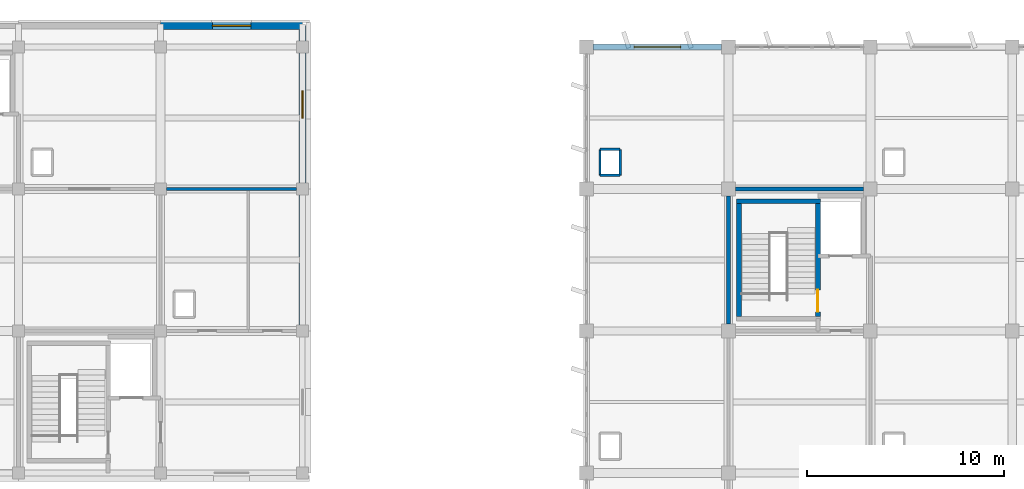
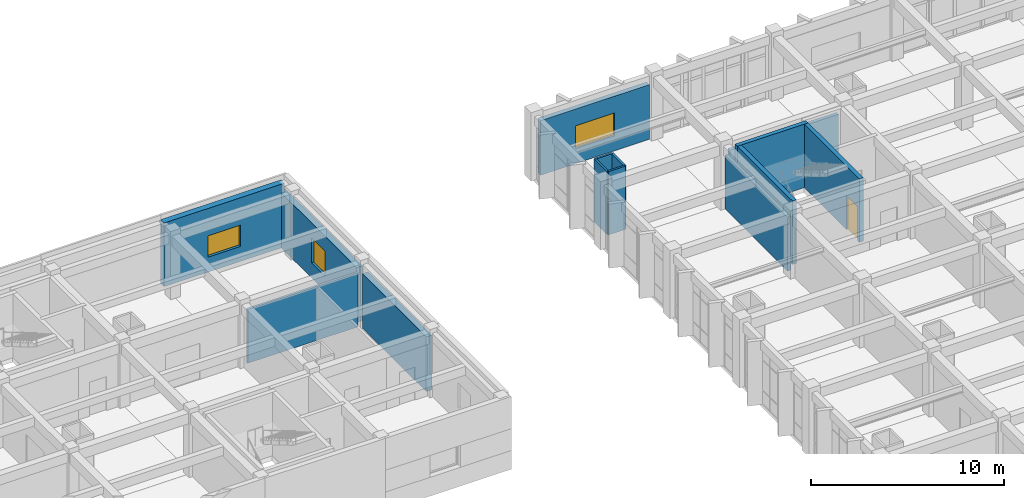
# One storey, part 59 of 70: 14 walls, 3 windows, 1 door, 4 openings.
"""IFC4 building model written with IfcOpenShell, lengths in metres."""

from ifc_helpers import new_model, si_unit, direction, frame, frame_2d, origin, place, context, subcontext, project, spatial, rectangle, extrude, material, layer, layer_set, type_object, element, fill, save


model = new_model("IFC4")

# Units and contexts
model_context = context("Model", 3, precision=1e-05, world=origin(), true_north=direction((0.0, 1.0)))
body_context = subcontext(model_context, "Body", "Model", "MODEL_VIEW")
ifc_project = project(units=[si_unit("LENGTHUNIT", "METRE"), si_unit("AREAUNIT", "SQUARE_METRE"), si_unit("VOLUMEUNIT", "CUBIC_METRE"), si_unit("PLANEANGLEUNIT", "RADIAN"), si_unit("MASSUNIT", "GRAM", prefix="KILO")], contexts=[model_context])

# Site, building, storey
site_placement = place(None, origin())
site = spatial("IfcSite", under=ifc_project, at=site_placement, CompositionType="ELEMENT")
building_placement = place(site_placement, origin())
building = spatial("IfcBuilding", under=site, at=building_placement, Name="Kavelor Marine Aquarium", CompositionType="ELEMENT")
storey_placement = place(building_placement, frame((0.0, 0.0, 9.179931640625)))
storey = spatial("IfcBuildingStorey", under=building, at=storey_placement, Name="L02", CompositionType="ELEMENT", Elevation=9.179931640625)

# Wall, opening, window
ifc_material_1 = material(Name="Concrete C45/55", Category="concrete")
ifc_layer_1 = layer(ifc_material_1, 0.360107421875)
ifc_layer_set_1 = layer_set([ifc_layer_1], Name="WL-EX1")
wall_type_1 = type_object("IfcWallType", Name="WL-EX1", PredefinedType="STANDARD", material=ifc_layer_set_1)
wall_1_placement = place(storey_placement, frame((96.800048828125, 111.8798828125, 0.0), z_axis=(0.0, 0.0, 1.0), x_axis=(1.0, 0.0, 0.0)))
wall_1 = element("IfcWall", 1, at=wall_1_placement, inside=storey, type_object=wall_type_1, Name="ew:x:L02:13_15", PredefinedType="STANDARD", context=body_context, shape_type="SweptSolid", body=[
    extrude(rectangle(XDim=7.199951171875, YDim=0.360107421875, at=frame_2d((3.60009765625, 0.0))), origin(), (0.0, 0.0, 1.0), 4.030029296875),
])
opening_1_placement = place(wall_1_placement, frame((2.625, 0.0, 0.949951171875)))
opening_1 = element("IfcOpeningElement", 2, at=opening_1_placement, cuts=wall_1, Name="Opening W29", PredefinedType="OPENING", context=body_context, shape_type="SweptSolid", body=[
    extrude(rectangle(XDim=1.949951171875, YDim=1.35009765625, at=frame_2d((0.97509765625, 0.675048828125))), frame((0.0, 0.18994140625, 0.0), z_axis=(0.0, -1.0, 0.0), x_axis=(1.0, 0.0, 0.0)), (0.0, 0.0, 1.0), 0.380107),
])
ifc_material_2 = material(Name="Anodised Aluminium Frame with Low-E Double Glazing", Category="aluminium")
window_type_1 = type_object("IfcWindowType", Name="WIN-W29", PartitioningType="DOUBLE_PANEL_VERTICAL", PredefinedType="WINDOW", material=ifc_material_2)
window_1_placement = place(opening_1_placement, origin())
window_1 = element("IfcWindow", 3, at=window_1_placement, inside=storey, type_object=window_type_1, Name="win:x:L02:13_15", OverallHeight=1.35009765625, OverallWidth=1.949951171875, PartitioningType="SINGLE_PANEL", PredefinedType="WINDOW", context=body_context, shape_type="SweptSolid", body=[
    extrude(rectangle(XDim=1.949951171875, YDim=1.35009765625, at=frame_2d((0.97509765625, 0.675048828125))), frame((0.0, 0.030029296875, 0.0), z_axis=(0.0, -1.0, 0.0), x_axis=(1.0, 0.0, 0.0)), (0.0, 0.0, 1.0), 0.06005859375),
])
fill(opening_1, window_1)

wall_2_placement = place(storey_placement, frame((104.0, 111.8798828125, 0.0), z_axis=(0.0, 0.0, 1.0), x_axis=(0.0, -1.0, 0.0)))
wall_2 = element("IfcWall", 4, at=wall_2_placement, inside=storey, type_object=wall_type_1, Name="ew:y:L02:14_14", PredefinedType="STANDARD", context=body_context, shape_type="SweptSolid", body=[
    extrude(rectangle(XDim=7.98486328125, YDim=0.360107421875, at=frame_2d((3.992431640625, 0.0))), origin(), (0.0, 0.0, 1.0), 3.47998046875),
])
opening_2_placement = place(wall_2_placement, frame((3.29248046875, 0.0, 0.949951171875)))
opening_2 = element("IfcOpeningElement", 5, at=opening_2_placement, cuts=wall_2, Name="Opening W04", PredefinedType="OPENING", context=body_context, shape_type="SweptSolid", body=[
    extrude(rectangle(XDim=1.39990234375, YDim=1.60009765625, at=frame_2d((0.699951171875, 0.800048828125))), frame((0.0, 0.18994140625, 0.0), z_axis=(0.0, -1.0, 0.0), x_axis=(1.0, 0.0, 0.0)), (0.0, 0.0, 1.0), 0.380107),
])
ifc_material_3 = material(Name="Anodised Aluminium Frame with Low-E Double Glazing", Category="aluminium")
window_type_2 = type_object("IfcWindowType", Name="WIN-W04", PartitioningType="SINGLE_PANEL", PredefinedType="WINDOW", material=ifc_material_3)
window_2_placement = place(opening_2_placement, origin())
window_2 = element("IfcWindow", 6, at=window_2_placement, inside=storey, type_object=window_type_2, Name="win:y:L02:14_14", OverallHeight=1.60009765625, OverallWidth=1.39990234375, PartitioningType="SINGLE_PANEL", PredefinedType="WINDOW", context=body_context, shape_type="SweptSolid", body=[
    extrude(rectangle(XDim=1.39990234375, YDim=1.60009765625, at=frame_2d((0.699951171875, 0.800048828125))), frame((0.0, 0.030029296875, 0.0), z_axis=(0.0, -1.0, 0.0), x_axis=(1.0, 0.0, 0.0)), (0.0, 0.0, 1.0), 0.06005859375),
])
fill(opening_2, window_2)

ifc_material_4 = material(Name="Concrete C40/50", Category="concrete")
ifc_layer_2 = layer(ifc_material_4, 0.280029296875)
ifc_layer_set_2 = layer_set([ifc_layer_2], Name="WL-EX4")
wall_type_2 = type_object("IfcWallType", Name="WL-EX4", PredefinedType="STANDARD", material=ifc_layer_set_2)
wall_3_placement = place(storey_placement, frame((118.7451171875, 110.800048828125, 0.0), z_axis=(0.0, 0.0, 1.0), x_axis=(1.0, 0.0, 0.0)))
wall_3 = element("IfcWall", 7, at=wall_3_placement, inside=storey, type_object=wall_type_2, Name="ew:x:L02:16_15", PredefinedType="STANDARD", context=body_context, shape_type="SweptSolid", body=[
    extrude(rectangle(XDim=6.509765625, YDim=0.280029296875, at=frame_2d((3.2548828125, 0.0))), origin(), (0.0, 0.0, 1.0), 3.4599609375),
])
opening_3_placement = place(wall_3_placement, frame((2.080078125, 0.0, 0.949951171875)))
opening_3 = element("IfcOpeningElement", 8, at=opening_3_placement, cuts=wall_3, Name="Opening W31", PredefinedType="OPENING", context=body_context, shape_type="SweptSolid", body=[
    extrude(rectangle(XDim=2.35009765625, YDim=1.449951171875, at=frame_2d((1.175048828125, 0.72509765625))), frame((0.0, 0.14990234375, 0.0), z_axis=(0.0, -1.0, 0.0), x_axis=(1.0, 0.0, 0.0)), (0.0, 0.0, 1.0), 0.300029),
])
ifc_material_5 = material(Name="Anodised Aluminium Frame with Low-E Double Glazing", Category="aluminium")
window_type_3 = type_object("IfcWindowType", Name="WIN-W31", PartitioningType="DOUBLE_PANEL_VERTICAL", PredefinedType="WINDOW", material=ifc_material_5)
window_3_placement = place(opening_3_placement, origin())
window_3 = element("IfcWindow", 9, at=window_3_placement, inside=storey, type_object=window_type_3, Name="win:x:L02:16_15", OverallHeight=1.449951171875, OverallWidth=2.35009765625, PartitioningType="SINGLE_PANEL", PredefinedType="WINDOW", context=body_context, shape_type="SweptSolid", body=[
    extrude(rectangle(XDim=2.35009765625, YDim=1.449951171875, at=frame_2d((1.175048828125, 0.72509765625))), frame((0.0, 0.030029296875, 0.0), z_axis=(0.0, -1.0, 0.0), x_axis=(1.0, 0.0, 0.0)), (0.0, 0.0, 1.0), 0.06005859375),
])
fill(opening_3, window_3)

# Walls
ifc_material_6 = material(Name="Concrete C45/55", Category="concrete")
ifc_layer_3 = layer(ifc_material_6, 0.340087890625)
ifc_layer_set_3 = layer_set([ifc_layer_3], Name="WL-EX6")
wall_type_3 = type_object("IfcWallType", Name="WL-EX6", PredefinedType="STANDARD", material=ifc_layer_set_3)
wall_4_placement = place(storey_placement, frame((104.0, 103.304931640625, 0.0), z_axis=(0.0, 0.0, 1.0), x_axis=(0.0, -1.0, 0.0)))
element("IfcWall", 10, at=wall_4_placement, inside=storey, type_object=wall_type_3, Name="ew:y:L02:14_13", PredefinedType="STANDARD", context=body_context, shape_type="SweptSolid", body=[
    extrude(rectangle(XDim=6.60986328125, YDim=0.340087890625, at=frame_2d((3.304931640625, 0.0))), origin(), (0.0, 0.0, 1.0), 3.4599609375),
])
ifc_material_7 = material(Name="Concrete Blockwork Partition", Category="masonry")
ifc_layer_4 = layer(ifc_material_7, 0.199951171875)
ifc_layer_set_4 = layer_set([ifc_layer_4], Name="WL-PT1")
wall_type_4 = type_object("IfcWallType", Name="WL-PT1", PredefinedType="PARTITIONING", material=ifc_layer_set_4)
for number, where, z_axis, x_axis, name in (
    (11, (125.60009765625, 96.75, 0.0), (0.0, 0.0, 1.0), (0.0, 1.0, 0.0), "pt:lob:C10:L02:w"),
    (12, (125.949951171875, 103.60009765625, 0.0), (0.0, 0.0, 1.0), (1.0, 0.0, 0.0), "pt:lob:C10:L02:n_full"),
):
    element("IfcWall", number, at=place(storey_placement, frame(where, z_axis=z_axis, x_axis=x_axis)), inside=storey, type_object=wall_type_4, Name=name, PredefinedType="PARTITIONING", context=body_context, shape_type="SweptSolid", body=[
        extrude(rectangle(XDim=6.5, YDim=0.199951171875, at=frame_2d((3.25, 0.0))), origin(), (0.0, 0.0, 1.0), 3.41015625),
    ])
ifc_material_8 = material(Name="Moisture-Resistant Marine Partition")
ifc_layer_5 = layer(ifc_material_8, 0.139892578125)
ifc_layer_set_5 = layer_set([ifc_layer_5], Name="WL-PT3")
wall_type_5 = type_object("IfcWallType", Name="WL-PT3", PredefinedType="PARTITIONING", material=ifc_layer_set_5)
wall_5_placement = place(storey_placement, frame((97.10009765625, 103.60009765625, 0.0), z_axis=(0.0, 0.0, 1.0), x_axis=(1.0, 0.0, 0.0)))
element("IfcWall", 13, at=wall_5_placement, inside=storey, type_object=wall_type_5, Name="pt:san:enc_n:L02:13_13", PredefinedType="PARTITIONING", context=body_context, shape_type="SweptSolid", body=[
    extrude(rectangle(XDim=6.599853515625, YDim=0.139892578125, at=frame_2d((3.2998046875, 0.0))), origin(), (0.0, 0.0, 1.0), 3.41015625),
])
ifc_material_9 = material(Name="Lightweight Drywall Partition")
ifc_layer_6 = layer(ifc_material_9, 0.1201171875)
ifc_layer_set_6 = layer_set([ifc_layer_6], Name="WL-PT4")
wall_type_6 = type_object("IfcWallType", Name="WL-PT4", PredefinedType="PARTITIONING", material=ifc_layer_set_6)
for number, where, z_axis, x_axis, name in (
    (14, (119.090087890625, 104.2900390625, 0.0), (0.0, 0.0, 1.0), (1.0, 0.0, 0.0), "riser:s:L02:16_14"),
    (15, (119.090087890625, 105.610107421875, 0.0), (0.0, 0.0, 1.0), (1.0, 0.0, 0.0), "riser:n:L02:16_14"),
):
    element("IfcWall", number, at=place(storey_placement, frame(where, z_axis=z_axis, x_axis=x_axis)), inside=storey, type_object=wall_type_6, Name=name, PredefinedType="PARTITIONING", context=body_context, shape_type="SweptSolid", body=[
        extrude(rectangle(XDim=1.02001953125, YDim=0.1201171875, at=frame_2d((0.510009765625, 0.0))), origin(), (0.0, 0.0, 1.0), 4.0),
    ])
for number, where, z_axis, x_axis, name in (
    (16, (119.090087890625, 104.2900390625, 0.0), (0.0, 0.0, 1.0), (0.0, 1.0, 0.0), "riser:w:L02:16_14"),
    (17, (120.110107421875, 104.2900390625, 0.0), (0.0, 0.0, 1.0), (0.0, 1.0, 0.0), "riser:e:L02:16_14"),
):
    element("IfcWall", number, at=place(storey_placement, frame(where, z_axis=z_axis, x_axis=x_axis)), inside=storey, type_object=wall_type_6, Name=name, PredefinedType="PARTITIONING", context=body_context, shape_type="SweptSolid", body=[
        extrude(rectangle(XDim=1.320068359375, YDim=0.1201171875, at=frame_2d((0.66015625, 0.0))), origin(), (0.0, 0.0, 1.0), 4.0),
    ])
ifc_material_10 = material(Name="Concrete C40/50", Category="concrete")
ifc_layer_7 = layer(ifc_material_10, 0.35009765625)
ifc_layer_set_7 = layer_set([ifc_layer_7], Name="WL-SW2")
wall_type_7 = type_object("IfcWallType", Name="WL-SW2", PredefinedType="SHEAR", material=ifc_layer_set_7)
wall_6_placement = place(storey_placement, frame((126.02001953125, 102.97998046875, 0.0), z_axis=(0.0, 0.0, 1.0), x_axis=(1.0, 0.0, 0.0)))
element("IfcWall", 18, at=wall_6_placement, inside=storey, type_object=wall_type_7, Name="cw_st:n:C10:L02", PredefinedType="SHEAR", context=body_context, shape_type="SweptSolid", body=[
    extrude(rectangle(XDim=4.239990234375, YDim=0.239990234375, at=frame_2d((2.1201171875, 0.0))), origin(), (0.0, 0.0, 1.0), 4.02001953125),
])
wall_7_placement = place(storey_placement, frame((126.139892578125, 97.139892578125, 0.0), z_axis=(0.0, 0.0, 1.0), x_axis=(0.0, 1.0, 0.0)))
element("IfcWall", 19, at=wall_7_placement, inside=storey, type_object=wall_type_7, Name="cw_st:w:C10:L02", PredefinedType="SHEAR", context=body_context, shape_type="SweptSolid", body=[
    extrude(rectangle(XDim=5.72021484375, YDim=0.239990234375, at=frame_2d((2.860107421875, 0.0))), origin(), (0.0, 0.0, 1.0), 4.02001953125),
])

# Wall, opening, door
wall_8_placement = place(storey_placement, frame((130.139892578125, 97.139892578125, 0.0), z_axis=(0.0, 0.0, 1.0), x_axis=(0.0, 1.0, 0.0)))
wall_8 = element("IfcWall", 20, at=wall_8_placement, inside=storey, type_object=wall_type_7, Name="cw_st:e:C10:L02", PredefinedType="SHEAR", context=body_context, shape_type="SweptSolid", body=[
    extrude(rectangle(XDim=5.72021484375, YDim=0.239990234375, at=frame_2d((2.860107421875, 0.0))), origin(), (0.0, 0.0, 1.0), 4.02001953125),
])
opening_4_placement = place(wall_8_placement, frame((0.219970703125, 0.0, 0.0)))
opening_4 = element("IfcOpeningElement", 21, at=opening_4_placement, cuts=wall_8, Name="Opening FD1", PredefinedType="OPENING", context=body_context, shape_type="SweptSolid", body=[
    extrude(rectangle(XDim=1.1201171875, YDim=2.14990234375, at=frame_2d((0.56005859375, 1.074951171875))), frame((0.0, 0.1298828125, 0.0), z_axis=(0.0, -1.0, 0.0), x_axis=(1.0, 0.0, 0.0)), (0.0, 0.0, 1.0), 0.25999),
])
ifc_material_11 = material(Name="Fire-Rated Steel Stair and Core Door", Category="steel")
door_type = type_object("IfcDoorType", Name="DR-FD1", OperationType="NOTDEFINED", PredefinedType="DOOR", material=ifc_material_11)
door_placement = place(opening_4_placement, origin())
door = element("IfcDoor", 22, at=door_placement, inside=storey, type_object=door_type, Name="Stair Fire Door ST10-L02", OperationType="SINGLE_SWING_LEFT", OverallHeight=2.14990234375, OverallWidth=1.1201171875, PredefinedType="DOOR", context=body_context, shape_type="SweptSolid", body=[
    extrude(rectangle(XDim=1.1201171875, YDim=2.14990234375, at=frame_2d((0.56005859375, 1.074951171875))), frame((0.0, 0.02490234375, 0.0), z_axis=(0.0, -1.0, 0.0), x_axis=(1.0, 0.0, 0.0)), (0.0, 0.0, 1.0), 0.050048828125),
])
fill(opening_4, door)

save(model, "model.ifc")
